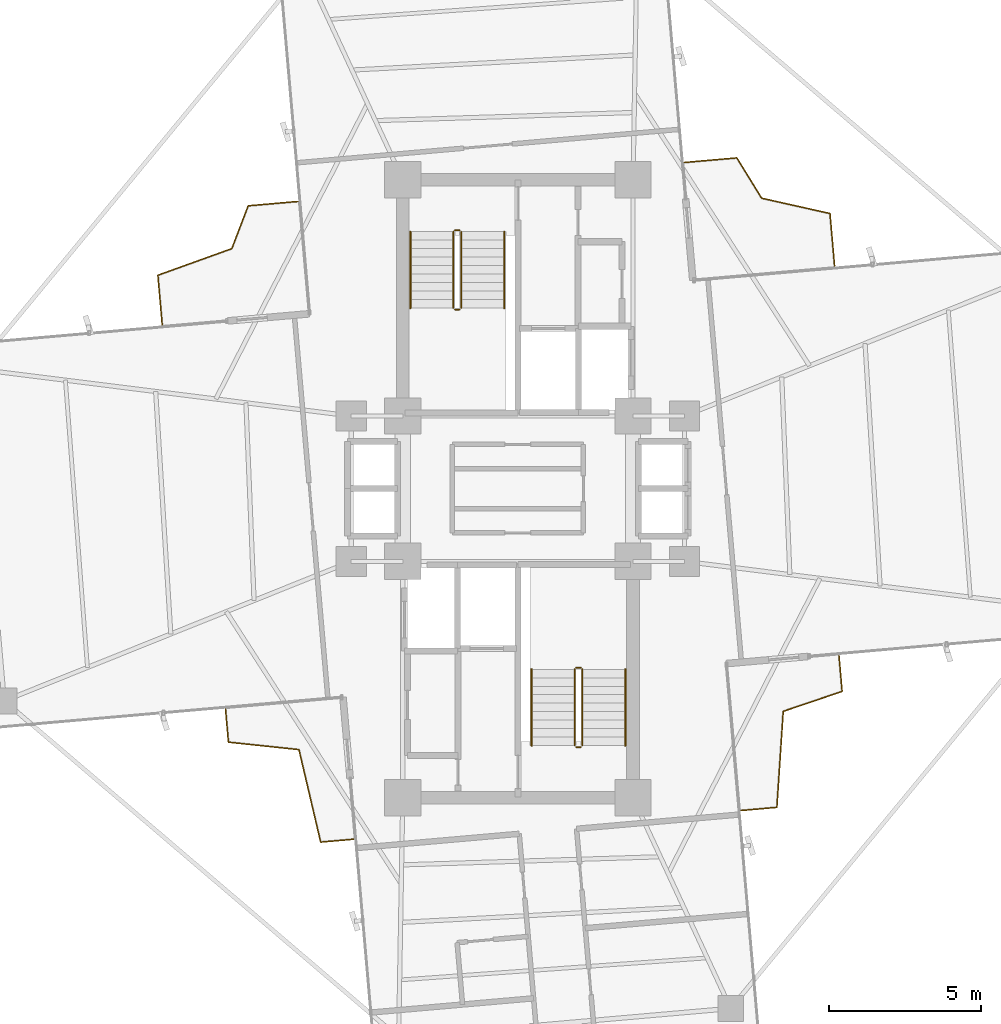
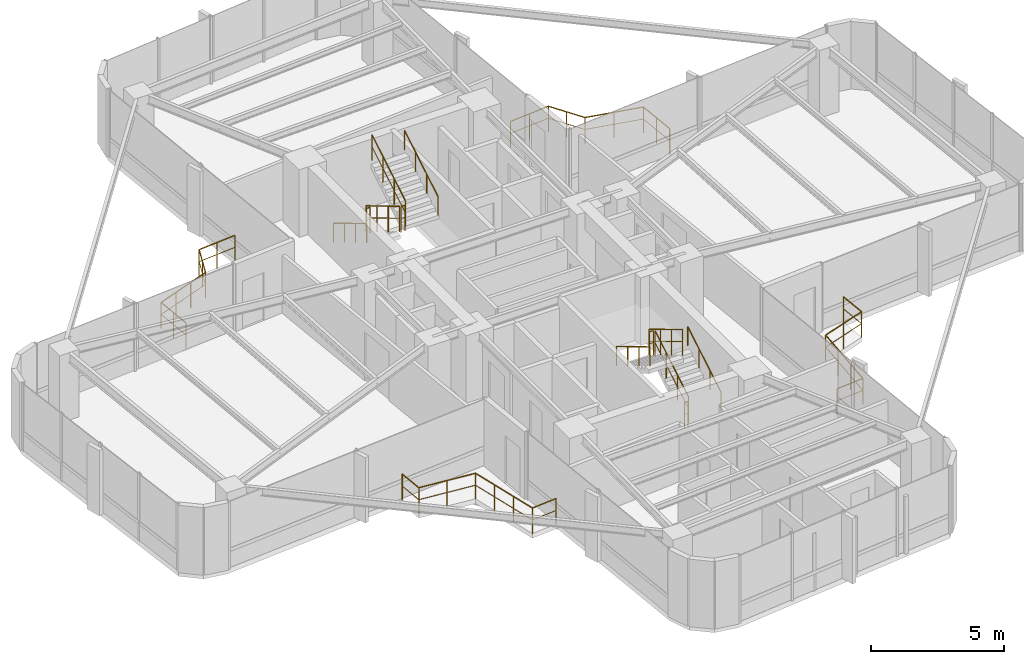
# One storey, part 24 of 24: 16 railings.
"""IFC4 building model written with IfcOpenShell, lengths in metres."""

import ifcopenshell
import ifcopenshell.guid

model = None  # the IFC model being written
_history = None  # IfcOwnerHistory: only IFC2X3 demands one
_inside = {}  # id of a spatial element -> (the spatial element, [elements in it])
_under = {}  # id of a project, library or spatial element -> (it, [spatial elements below it])
_declared = {}  # id of a project -> (the project, [libraries it declares])
_typed = {}  # id of a type object -> (the type object, [elements of that type])
_made_of = {}  # id of a material, layer set ... -> (it, [elements and type objects made of it])


def new_model(schema):
    """Start an empty IFC model of exactly this schema.

    Asked for "IFC4X3", IfcOpenShell would pick the latest addendum, in which some entities
    have other attributes; the version numbers below select the first issue.
    IFC2X3 requires an IfcOwnerHistory on every rooted entity: one is made here for all.
    """
    global model, _history
    if schema == "IFC4X3":
        model = ifcopenshell.file(schema_version=(4, 3, 0, 0))
    else:
        model = ifcopenshell.file(schema=schema)
    _inside.clear()
    _under.clear()
    _declared.clear()
    _typed.clear()
    _made_of.clear()
    _history = None
    if model.schema == "IFC2X3":
        org = make("IfcOrganization", Name="unknown")
        user = make(
            "IfcPersonAndOrganization",
            ThePerson=make("IfcPerson", FamilyName="unknown"),
            TheOrganization=org,
        )
        app = make(
            "IfcApplication",
            ApplicationDeveloper=org,
            Version="unknown",
            ApplicationFullName="unknown",
            ApplicationIdentifier="unknown",
        )
        _history = make(
            "IfcOwnerHistory",
            OwningUser=user,
            OwningApplication=app,
            ChangeAction="ADDED",
            CreationDate=0,
        )
    return model


def make(cls, **values):
    """One entity of the class cls with the attributes given. An attribute that is None is left unset."""
    return model.create_entity(
        cls, **{name: value for name, value in values.items() if value is not None}
    )


def rooted(cls, **values):
    """An entity with a GlobalId (a new one), such as an element, a storey or a relation."""
    return make(cls, GlobalId=ifcopenshell.guid.new(), OwnerHistory=_history, **values)


def si_unit(unit_type, name, prefix=None):
    """IfcSIUnit, for example si_unit("LENGTHUNIT", "METRE", prefix="MILLI")."""
    return make("IfcSIUnit", UnitType=unit_type, Prefix=prefix, Name=name)


def assignment(units):
    """IfcUnitAssignment: the units of a project."""
    return None if units is None else make("IfcUnitAssignment", Units=units)


def point(xyz):
    """IfcCartesianPoint."""
    return None if xyz is None else make("IfcCartesianPoint", Coordinates=xyz)


def direction(xyz):
    """IfcDirection."""
    return None if xyz is None else make("IfcDirection", DirectionRatios=xyz)


def frame(location, z_axis=None, x_axis=None):
    """IfcAxis2Placement3D, a coordinate frame: its origin and axes. An axis left out is left unset."""
    return make(
        "IfcAxis2Placement3D",
        Location=point(location),
        Axis=direction(z_axis),
        RefDirection=direction(x_axis),
    )


def frame_2d(location, x_axis=None):
    """IfcAxis2Placement2D, a coordinate frame in the plane: its origin and x axis."""
    return make(
        "IfcAxis2Placement2D", Location=point(location), RefDirection=direction(x_axis)
    )


def origin():
    """The frame at (0, 0, 0) with its axes left unset."""
    return frame((0.0, 0.0, 0.0))


def origin_2d():
    """The frame at (0, 0) in the plane with its x axis left unset."""
    return frame_2d((0.0, 0.0))


def place(relative_to, where):
    """IfcLocalPlacement: puts the frame where relative to a parent placement (None: the world)."""
    return make(
        "IfcLocalPlacement", PlacementRelTo=relative_to, RelativePlacement=where
    )


def context(
    kind, dimensions, precision=None, world=None, true_north=None, identifier=None
):
    """IfcGeometricRepresentationContext, for example the 3D "Model" context."""
    return make(
        "IfcGeometricRepresentationContext",
        ContextIdentifier=identifier,
        ContextType=kind,
        CoordinateSpaceDimension=dimensions,
        Precision=precision,
        WorldCoordinateSystem=world,
        TrueNorth=true_north,
    )


def subcontext(parent, identifier, kind, view, scale=None):
    """IfcGeometricRepresentationSubContext, for example "Body" below "Model"."""
    return make(
        "IfcGeometricRepresentationSubContext",
        ContextIdentifier=identifier,
        ContextType=kind,
        ParentContext=parent,
        TargetScale=scale,
        TargetView=view,
    )


def project(units=None, contexts=None):
    """IfcProject with its units and contexts."""
    return rooted(
        "IfcProject",
        Name="project",
        RepresentationContexts=contexts,
        UnitsInContext=assignment(units),
    )


def spatial(cls, under=None, at=None, **own):
    """A site, building, storey or space (cls), placed at a placement, below another one or the project."""
    s = rooted(cls, ObjectPlacement=at, **own)
    if under is not None:
        _under.setdefault(under.id(), (under, []))[1].append(s)
    return s


def profile(cls, at=None, kind="AREA", **sizes):
    """A parametric profile (cls). Its sizes go by their IFC names, for example OverallWidth=200.0."""
    return make(cls, ProfileType=kind, Position=at, **sizes)


def circle(**sizes):
    """IfcCircleProfileDef."""
    return profile("IfcCircleProfileDef", **sizes)


def extrude(swept, where, along, depth):
    """IfcExtrudedAreaSolid: the profile swept, set in the frame where, extruded along a direction by depth."""
    return make(
        "IfcExtrudedAreaSolid",
        SweptArea=swept,
        Position=where,
        ExtrudedDirection=direction(along),
        Depth=depth,
    )


def shape(context_of_items, identifier, shape_type, items):
    """IfcShapeRepresentation: the items that make up one representation, for example the "Body"."""
    return make(
        "IfcShapeRepresentation",
        ContextOfItems=context_of_items,
        RepresentationIdentifier=identifier,
        RepresentationType=shape_type,
        Items=items,
    )


def material(Name=None, Category=None):
    """IfcMaterial."""
    return make("IfcMaterial", Name=Name, Category=Category)


def made_of(thing, what):
    """Note that an element or type object is made of a material, layer set ...; save() writes the relation."""
    if what is not None:
        _made_of.setdefault(what.id(), (what, []))[1].append(thing)
    return thing


def type_object(cls, material=None, **own):
    """A type object (cls), such as IfcWallType, which elements share."""
    return made_of(rooted(cls, **own), material)


def element(
    cls,
    number,
    at=None,
    inside=None,
    cuts=None,
    type_object=None,
    material=None,
    context=None,
    identifier="Body",
    shape_type=None,
    held_by="IfcProductDefinitionShape",
    body=None,
    shapes=None,
    **own,
):
    """One element of the class cls, such as IfcWall. Its Tag is "e" and its number.

    at: its placement. inside: the storey or other place that contains it. cuts: it is an
    opening in that element (IfcRelVoidsElement). A single representation is given by context,
    identifier, shape_type and body (its items); several are given by shapes. held_by: the class
    of the entity that holds the representations. save() writes the other relations.
    """
    e = rooted(cls, Tag="e%d" % number, ObjectPlacement=at, **own)
    if body is not None:
        shapes = [shape(context, identifier, shape_type, body)]
    if shapes is not None:
        e.Representation = make(held_by, Representations=shapes)
    if inside is not None:
        _inside.setdefault(inside.id(), (inside, []))[1].append(e)
    if cuts is not None:
        rooted(
            "IfcRelVoidsElement", RelatingBuildingElement=cuts, RelatedOpeningElement=e
        )
    if type_object is not None:
        _typed.setdefault(type_object.id(), (type_object, []))[1].append(e)
    return made_of(e, material)


def aggregate(whole, parts):
    """IfcRelAggregates: a whole, such as a stair, and the parts it consists of."""
    return rooted("IfcRelAggregates", RelatingObject=whole, RelatedObjects=parts)


def save(model, path):
    """Write the relations noted so far, then the file.

    IfcRelAggregates (storeys below a building ...), IfcRelContainedInSpatialStructure (elements
    in a storey), IfcRelDefinesByType, IfcRelAssociatesMaterial and IfcRelDeclares: one each for
    every whole, place, type object, material and project.
    """
    for whole, parts in _under.values():
        aggregate(whole, parts)
    for where, things in _inside.values():
        rooted(
            "IfcRelContainedInSpatialStructure",
            RelatedElements=things,
            RelatingStructure=where,
        )
    for kind, things in _typed.values():
        rooted("IfcRelDefinesByType", RelatedObjects=things, RelatingType=kind)
    for what, things in _made_of.values():
        rooted("IfcRelAssociatesMaterial", RelatedObjects=things, RelatingMaterial=what)
    for by, libraries in _declared.values():
        rooted("IfcRelDeclares", RelatingContext=by, RelatedDefinitions=libraries)
    model.write(path)


model = new_model("IFC4")

# Units and contexts
model_context = context("Model", 3, precision=1e-05, world=origin(), true_north=direction((0.0, 1.0)))
body_context = subcontext(model_context, "Body", "Model", "MODEL_VIEW")
ifc_project = project(units=[si_unit("LENGTHUNIT", "METRE"), si_unit("AREAUNIT", "SQUARE_METRE"), si_unit("VOLUMEUNIT", "CUBIC_METRE"), si_unit("PLANEANGLEUNIT", "RADIAN"), si_unit("MASSUNIT", "GRAM", prefix="KILO")], contexts=[model_context])

# Site, building, storey
site_placement = place(None, origin())
site = spatial("IfcSite", under=ifc_project, at=site_placement, CompositionType="ELEMENT")
building_placement = place(site_placement, origin())
building = spatial("IfcBuilding", under=site, at=building_placement, Name="Sahyath Konkavel Grand Hotel", CompositionType="ELEMENT")
storey_placement = place(building_placement, frame((0.0, 0.0, 160.64990234375)))
storey = spatial("IfcBuildingStorey", under=building, at=storey_placement, Name="L44", CompositionType="ELEMENT", Elevation=160.64990234375)

# Railings
ifc_material_1 = material(Name="Anodised Bronze Aluminium", Category="aluminium")
railing_type_1 = type_object("IfcRailingType", Name="RLG-BALC-1200", PredefinedType="GUARDRAIL", material=ifc_material_1)
railing_1_placement = place(storey_placement, frame((10.452392578125, 7.348876953125, 0.0)))
element("IfcRailing", 1, at=railing_1_placement, inside=storey, type_object=railing_type_1, Name="L44 Winter-Garden Guard NE", PredefinedType="GUARDRAIL", context=body_context, shape_type="SweptSolid", body=[
    extrude(circle(Radius=0.02392578125, at=origin_2d()), frame((-0.000244140625, 0.001953125, 1.17578125), z_axis=(-0.087271381015, 0.996184574291, 0.0), x_axis=(-0.996184574291, -0.087271381015, 0.0)), (0.0, 0.0, 1.0), 1.736083984375),
    extrude(circle(Radius=0.01416015625, at=origin_2d()), frame((-0.000244140625, 0.001953125, 0.6240234375), z_axis=(-0.087271381015, 0.996184574291, 0.0), x_axis=(-0.996184574291, -0.087271381015, 0.0)), (0.0, 0.0, 1.0), 1.736083984375),
    extrude(circle(Radius=0.02392578125, at=origin_2d()), frame((-0.15380859375, 1.73388671875, 1.17578125), z_axis=(-0.975807839338, 0.218629962921, 0.0), x_axis=(-0.218629962921, -0.975807839338, 0.0)), (0.0, 0.0, 1.0), 2.3076171875),
    extrude(circle(Radius=0.01416015625, at=origin_2d()), frame((-0.15380859375, 1.73388671875, 0.6240234375), z_axis=(-0.975807839338, 0.218629962921, 0.0), x_axis=(-0.218629962921, -0.975807839338, 0.0)), (0.0, 0.0, 1.0), 2.3076171875),
    extrude(circle(Radius=0.02392578125, at=origin_2d()), frame((-2.408447265625, 2.240478515625, 1.17578125), z_axis=(-0.524228189008, 0.851577833113, 0.0), x_axis=(-0.851577833113, -0.524228189008, 0.0)), (0.0, 0.0, 1.0), 1.55859375),
    extrude(circle(Radius=0.01416015625, at=origin_2d()), frame((-2.408447265625, 2.240478515625, 0.6240234375), z_axis=(-0.524228189008, 0.851577833113, 0.0), x_axis=(-0.851577833113, -0.524228189008, 0.0)), (0.0, 0.0, 1.0), 1.55859375),
    extrude(circle(Radius=0.02392578125, at=origin_2d()), frame((-3.228515625, 3.569091796875, 1.17578125), z_axis=(-0.996196762836, -0.087132139397, 0.0), x_axis=(0.087132139397, -0.996196762836, 0.0)), (0.0, 0.0, 1.0), 1.736083984375),
    extrude(circle(Radius=0.01416015625, at=origin_2d()), frame((-3.228515625, 3.569091796875, 0.6240234375), z_axis=(-0.996196762836, -0.087132139397, 0.0), x_axis=(0.087132139397, -0.996196762836, 0.0)), (0.0, 0.0, 1.0), 1.736083984375),
    extrude(circle(Radius=0.02099609375, at=origin_2d()), origin(), (0.0, 0.0, 1.0), 1.15185546875),
    extrude(circle(Radius=0.02099609375, at=origin_2d()), frame((-0.075927734375, 0.86669921875, 0.0)), (0.0, 0.0, 1.0), 1.15185546875),
    extrude(circle(Radius=0.02099609375, at=origin_2d()), frame((-0.15185546875, 1.7333984375, 0.0)), (0.0, 0.0, 1.0), 1.15185546875),
    extrude(circle(Radius=0.02099609375, at=origin_2d()), frame((-1.27978515625, 1.986083984375, 0.0)), (0.0, 0.0, 1.0), 1.15185546875),
    extrude(circle(Radius=0.02099609375, at=origin_2d()), frame((-2.407470703125, 2.23876953125, 0.0)), (0.0, 0.0, 1.0), 1.15185546875),
    extrude(circle(Radius=0.02099609375, at=origin_2d()), frame((-2.81689453125, 2.904052734375, 0.0)), (0.0, 0.0, 1.0), 1.15185546875),
    extrude(circle(Radius=0.02099609375, at=origin_2d()), frame((-3.2265625, 3.5693359375, 0.0)), (0.0, 0.0, 1.0), 1.15185546875),
    extrude(circle(Radius=0.02099609375, at=origin_2d()), frame((-4.09326171875, 3.49365234375, 0.0)), (0.0, 0.0, 1.0), 1.15185546875),
    extrude(circle(Radius=0.02099609375, at=origin_2d()), frame((-4.9599609375, 3.417724609375, 0.0)), (0.0, 0.0, 1.0), 1.15185546875),
])
railing_2_placement = place(storey_placement, frame((-7.263916015625, 9.47998046875, 0.0)))
element("IfcRailing", 2, at=railing_2_placement, inside=storey, type_object=railing_type_1, Name="L44 Winter-Garden Guard NW", PredefinedType="GUARDRAIL", context=body_context, shape_type="SweptSolid", body=[
    extrude(circle(Radius=0.02392578125, at=origin_2d()), frame((-0.001953125, -0.000244140625, 1.17578125), z_axis=(-0.996190814545, -0.08720012051, 0.0), x_axis=(0.08720012051, -0.996190814545, 0.0)), (0.0, 0.0, 1.0), 1.639404296875),
    extrude(circle(Radius=0.01416015625, at=origin_2d()), frame((-0.001953125, -0.000244140625, 0.6240234375), z_axis=(-0.996190814545, -0.08720012051, 0.0), x_axis=(0.08720012051, -0.996190814545, 0.0)), (0.0, 0.0, 1.0), 1.639404296875),
    extrude(circle(Radius=0.02392578125, at=origin_2d()), frame((-1.637939453125, -0.145263671875, 1.17578125), z_axis=(-0.357584417306, -0.933880819216, 0.0), x_axis=(0.933880819216, -0.357584417306, 0.0)), (0.0, 0.0, 1.0), 1.509765625),
    extrude(circle(Radius=0.01416015625, at=origin_2d()), frame((-1.637939453125, -0.145263671875, 0.6240234375), z_axis=(-0.357584417306, -0.933880819216, 0.0), x_axis=(0.933880819216, -0.357584417306, 0.0)), (0.0, 0.0, 1.0), 1.509765625),
    extrude(circle(Radius=0.02392578125, at=origin_2d()), frame((-2.180419921875, -1.5576171875, 1.17578125), z_axis=(-0.940871807597, -0.338762810341, 0.0), x_axis=(0.338762810341, -0.940871807597, 0.0)), (0.0, 0.0, 1.0), 2.589111328125),
    extrude(circle(Radius=0.01416015625, at=origin_2d()), frame((-2.180419921875, -1.5576171875, 0.6240234375), z_axis=(-0.940871807597, -0.338762810341, 0.0), x_axis=(0.338762810341, -0.940871807597, 0.0)), (0.0, 0.0, 1.0), 2.589111328125),
    extrude(circle(Radius=0.02392578125, at=origin_2d()), frame((-4.617919921875, -2.437255859375, 1.17578125), z_axis=(0.087052695052, -0.996203708226, 0.0), x_axis=(0.996203708226, 0.087052695052, 0.0)), (0.0, 0.0, 1.0), 1.639404296875),
    extrude(circle(Radius=0.01416015625, at=origin_2d()), frame((-4.617919921875, -2.437255859375, 0.6240234375), z_axis=(0.087052695052, -0.996203708226, 0.0), x_axis=(0.996203708226, 0.087052695052, 0.0)), (0.0, 0.0, 1.0), 1.639404296875),
    extrude(circle(Radius=0.02099609375, at=origin_2d()), origin(), (0.0, 0.0, 1.0), 1.15185546875),
    extrude(circle(Radius=0.02099609375, at=origin_2d()), frame((-0.818603515625, -0.07177734375, 0.0)), (0.0, 0.0, 1.0), 1.15185546875),
    extrude(circle(Radius=0.02099609375, at=origin_2d()), frame((-1.63720703125, -0.143310546875, 0.0)), (0.0, 0.0, 1.0), 1.15185546875),
    extrude(circle(Radius=0.02099609375, at=origin_2d()), frame((-1.90771484375, -0.85009765625, 0.0)), (0.0, 0.0, 1.0), 1.15185546875),
    extrude(circle(Radius=0.02099609375, at=origin_2d()), frame((-2.178466796875, -1.556884765625, 0.0)), (0.0, 0.0, 1.0), 1.15185546875),
    extrude(circle(Radius=0.02099609375, at=origin_2d()), frame((-2.99169921875, -1.849609375, 0.0)), (0.0, 0.0, 1.0), 1.15185546875),
    extrude(circle(Radius=0.02099609375, at=origin_2d()), frame((-3.804931640625, -2.142578125, 0.0)), (0.0, 0.0, 1.0), 1.15185546875),
    extrude(circle(Radius=0.02099609375, at=origin_2d()), frame((-4.6181640625, -2.435302734375, 0.0)), (0.0, 0.0, 1.0), 1.15185546875),
    extrude(circle(Radius=0.02099609375, at=origin_2d()), frame((-4.546630859375, -3.25390625, 0.0)), (0.0, 0.0, 1.0), 1.15185546875),
    extrude(circle(Radius=0.02099609375, at=origin_2d()), frame((-4.47509765625, -4.072509765625, 0.0)), (0.0, 0.0, 1.0), 1.15185546875),
])
railing_3_placement = place(storey_placement, frame((-9.6494140625, -7.27880859375, 0.0)))
element("IfcRailing", 3, at=railing_3_placement, inside=storey, type_object=railing_type_1, Name="L44 Winter-Garden Guard SW", PredefinedType="GUARDRAIL", context=body_context, shape_type="SweptSolid", body=[
    extrude(circle(Radius=0.02392578125, at=origin_2d()), frame((0.000244140625, -0.001953125, 1.17578125), z_axis=(0.087208558831, -0.996190075872, 0.0), x_axis=(0.996190075872, 0.087208558831, 0.0)), (0.0, 0.0, 1.0), 1.087890625),
    extrude(circle(Radius=0.01416015625, at=origin_2d()), frame((0.000244140625, -0.001953125, 0.6240234375), z_axis=(0.087208558831, -0.996190075872, 0.0), x_axis=(0.996190075872, 0.087208558831, 0.0)), (0.0, 0.0, 1.0), 1.087890625),
    extrude(circle(Radius=0.02392578125, at=origin_2d()), frame((0.09716796875, -1.087890625, 1.17578125), z_axis=(0.994456185565, -0.105151771221, 0.0), x_axis=(0.105151771221, 0.994456185565, 0.0)), (0.0, 0.0, 1.0), 2.33642578125),
    extrude(circle(Radius=0.01416015625, at=origin_2d()), frame((0.09716796875, -1.087890625, 0.6240234375), z_axis=(0.994456185565, -0.105151771221, 0.0), x_axis=(0.105151771221, 0.994456185565, 0.0)), (0.0, 0.0, 1.0), 2.33642578125),
    extrude(circle(Radius=0.02392578125, at=origin_2d()), frame((2.423095703125, -1.335693359375, 1.17578125), z_axis=(0.228622651102, -0.973515117193, 0.0), x_axis=(0.973515117193, 0.228622651102, 0.0)), (0.0, 0.0, 1.0), 3.13134765625),
    extrude(circle(Radius=0.01416015625, at=origin_2d()), frame((2.423095703125, -1.335693359375, 0.6240234375), z_axis=(0.228622651102, -0.973515117193, 0.0), x_axis=(0.973515117193, 0.228622651102, 0.0)), (0.0, 0.0, 1.0), 3.13134765625),
    extrude(circle(Radius=0.02392578125, at=origin_2d()), frame((3.141357421875, -4.3857421875, 1.17578125), z_axis=(0.996190075872, 0.087208558831, 0.0), x_axis=(-0.087208558831, 0.996190075872, 0.0)), (0.0, 0.0, 1.0), 1.087890625),
    extrude(circle(Radius=0.01416015625, at=origin_2d()), frame((3.141357421875, -4.3857421875, 0.6240234375), z_axis=(0.996190075872, 0.087208558831, 0.0), x_axis=(-0.087208558831, 0.996190075872, 0.0)), (0.0, 0.0, 1.0), 1.087890625),
    extrude(circle(Radius=0.02099609375, at=origin_2d()), origin(), (0.0, 0.0, 1.0), 1.15185546875),
    extrude(circle(Radius=0.02099609375, at=origin_2d()), frame((0.09521484375, -1.087646484375, 0.0)), (0.0, 0.0, 1.0), 1.15185546875),
    extrude(circle(Radius=0.02099609375, at=origin_2d()), frame((1.2587890625, -1.210693359375, 0.0)), (0.0, 0.0, 1.0), 1.15185546875),
    extrude(circle(Radius=0.02099609375, at=origin_2d()), frame((2.422607421875, -1.333740234375, 0.0)), (0.0, 0.0, 1.0), 1.15185546875),
    extrude(circle(Radius=0.02099609375, at=origin_2d()), frame((2.66162109375, -2.35107421875, 0.0)), (0.0, 0.0, 1.0), 1.15185546875),
    extrude(circle(Radius=0.02099609375, at=origin_2d()), frame((2.900390625, -3.36865234375, 0.0)), (0.0, 0.0, 1.0), 1.15185546875),
    extrude(circle(Radius=0.02099609375, at=origin_2d()), frame((3.139404296875, -4.385986328125, 0.0)), (0.0, 0.0, 1.0), 1.15185546875),
    extrude(circle(Radius=0.02099609375, at=origin_2d()), frame((4.22705078125, -4.290771484375, 0.0)), (0.0, 0.0, 1.0), 1.15185546875),
])
railing_4_placement = place(storey_placement, frame((7.36376953125, -10.62158203125, 0.0)))
element("IfcRailing", 4, at=railing_4_placement, inside=storey, type_object=railing_type_1, Name="L44 Winter-Garden Guard SE", PredefinedType="GUARDRAIL", context=body_context, shape_type="SweptSolid", body=[
    extrude(circle(Radius=0.02392578125, at=origin_2d()), frame((0.001953125, 0.000244140625, 1.17578125), z_axis=(0.996198844708, 0.087108333709, 0.0), x_axis=(-0.087108333709, 0.996198844708, 0.0)), (0.0, 0.0, 1.0), 1.184326171875),
    extrude(circle(Radius=0.01416015625, at=origin_2d()), frame((0.001953125, 0.000244140625, 0.6240234375), z_axis=(0.996198844708, 0.087108333709, 0.0), x_axis=(-0.087108333709, 0.996198844708, 0.0)), (0.0, 0.0, 1.0), 1.184326171875),
    extrude(circle(Radius=0.02392578125, at=origin_2d()), frame((1.18408203125, 0.10546875, 1.17578125), z_axis=(0.06617721379, 0.997807885505, 0.0), x_axis=(-0.997807885505, 0.06617721379, 0.0)), (0.0, 0.0, 1.0), 3.17236328125),
    extrude(circle(Radius=0.01416015625, at=origin_2d()), frame((1.18408203125, 0.10546875, 0.6240234375), z_axis=(0.06617721379, 0.997807885505, 0.0), x_axis=(-0.997807885505, 0.06617721379, 0.0)), (0.0, 0.0, 1.0), 3.17236328125),
    extrude(circle(Radius=0.02392578125, at=origin_2d()), frame((1.39599609375, 3.273681640625, 1.17578125), z_axis=(0.947281563744, 0.320402308029, 0.0), x_axis=(-0.320402308029, 0.947281563744, 0.0)), (0.0, 0.0, 1.0), 2.04736328125),
    extrude(circle(Radius=0.01416015625, at=origin_2d()), frame((1.39599609375, 3.273681640625, 0.6240234375), z_axis=(0.947281563744, 0.320402308029, 0.0), x_axis=(-0.320402308029, 0.947281563744, 0.0)), (0.0, 0.0, 1.0), 2.04736328125),
    extrude(circle(Radius=0.02392578125, at=origin_2d()), frame((3.3369140625, 3.93212890625, 1.17578125), z_axis=(-0.087090509468, 0.996200403112, 0.0), x_axis=(-0.996200403112, -0.087090509468, 0.0)), (0.0, 0.0, 1.0), 1.1845703125),
    extrude(circle(Radius=0.01416015625, at=origin_2d()), frame((3.3369140625, 3.93212890625, 0.6240234375), z_axis=(-0.087090509468, 0.996200403112, 0.0), x_axis=(-0.996200403112, -0.087090509468, 0.0)), (0.0, 0.0, 1.0), 1.1845703125),
    extrude(circle(Radius=0.02099609375, at=origin_2d()), origin(), (0.0, 0.0, 1.0), 1.15185546875),
    extrude(circle(Radius=0.02099609375, at=origin_2d()), frame((1.183837890625, 0.103515625, 0.0)), (0.0, 0.0, 1.0), 1.15185546875),
    extrude(circle(Radius=0.02099609375, at=origin_2d()), frame((1.25390625, 1.159912109375, 0.0)), (0.0, 0.0, 1.0), 1.15185546875),
    extrude(circle(Radius=0.02099609375, at=origin_2d()), frame((1.323974609375, 2.216552734375, 0.0)), (0.0, 0.0, 1.0), 1.15185546875),
    extrude(circle(Radius=0.02099609375, at=origin_2d()), frame((1.39404296875, 3.27294921875, 0.0)), (0.0, 0.0, 1.0), 1.15185546875),
    extrude(circle(Radius=0.02099609375, at=origin_2d()), frame((2.36572265625, 3.6015625, 0.0)), (0.0, 0.0, 1.0), 1.15185546875),
    extrude(circle(Radius=0.02099609375, at=origin_2d()), frame((3.337158203125, 3.93017578125, 0.0)), (0.0, 0.0, 1.0), 1.15185546875),
    extrude(circle(Radius=0.02099609375, at=origin_2d()), frame((3.233642578125, 5.1142578125, 0.0)), (0.0, 0.0, 1.0), 1.15185546875),
])
ifc_material_2 = material(Name="Steel E350", Category="steel")
railing_type_2 = type_object("IfcRailingType", Name="RLG-STAIR-GRD", PredefinedType="GUARDRAIL", material=ifc_material_2)
railing_5_placement = place(storey_placement, frame((-2.1298828125, 8.47998046875, 0.16748046875)))
element("IfcRailing", 5, at=railing_5_placement, inside=storey, type_object=railing_type_2, Name="L44 ST-1 stair guard 1", PredefinedType="GUARDRAIL", context=body_context, shape_type="SweptSolid", body=[
    extrude(circle(Radius=0.02392578125, at=origin_2d()), frame((0.0, -0.001708984375, 1.177001953125), z_axis=(0.0, -0.858159760407, 0.513382728203), x_axis=(1.0, 0.0, 0.0)), (0.0, 0.0, 1.0), 2.9326171875),
    extrude(circle(Radius=0.01416015625, at=origin_2d()), frame((0.0, -0.001708984375, 0.625), z_axis=(0.0, -0.858159760407, 0.513382728203), x_axis=(1.0, 0.0, 0.0)), (0.0, 0.0, 1.0), 2.9326171875),
    extrude(circle(Radius=0.02099609375, at=origin_2d()), origin(), (0.0, 0.0, 1.0), 1.15185546875),
    extrude(circle(Radius=0.02099609375, at=origin_2d()), frame((0.0, -0.840087890625, 0.50244140625)), (0.0, 0.0, 1.0), 1.15185546875),
    extrude(circle(Radius=0.02099609375, at=origin_2d()), frame((0.0, -1.679931640625, 1.005126953125)), (0.0, 0.0, 1.0), 1.15185546875),
    extrude(circle(Radius=0.02099609375, at=origin_2d()), frame((0.0, -2.52001953125, 1.507568359375)), (0.0, 0.0, 1.0), 1.15185546875),
])
railing_6_placement = place(storey_placement, frame((-2.080078125, 5.909912109375, 1.675048828125)))
element("IfcRailing", 6, at=railing_6_placement, inside=storey, type_object=railing_type_2, Name="L44 ST-1 stair guard 2", PredefinedType="GUARDRAIL", context=body_context, shape_type="SweptSolid", body=[
    extrude(circle(Radius=0.02392578125, at=origin_2d()), frame((0.001953125, 0.0, 1.17578125), z_axis=(1.0, 0.0, 0.0), x_axis=(0.0, 1.0, 0.0)), (0.0, 0.0, 1.0), 0.15625),
    extrude(circle(Radius=0.01416015625, at=origin_2d()), frame((0.001953125, 0.0, 0.6240234375), z_axis=(1.0, 0.0, 0.0), x_axis=(0.0, 1.0, 0.0)), (0.0, 0.0, 1.0), 0.15625),
    extrude(circle(Radius=0.02099609375, at=origin_2d()), origin(), (0.0, 0.0, 1.0), 1.15185546875),
    extrude(circle(Radius=0.02099609375, at=origin_2d()), frame((0.16015625, 0.0, 0.0)), (0.0, 0.0, 1.0), 1.15185546875),
])
railing_7_placement = place(storey_placement, frame((-1.8701171875, 5.9599609375, 1.842529296875)))
element("IfcRailing", 7, at=railing_7_placement, inside=storey, type_object=railing_type_2, Name="L44 ST-1 stair guard 3", PredefinedType="GUARDRAIL", context=body_context, shape_type="SweptSolid", body=[
    extrude(circle(Radius=0.02392578125, at=origin_2d()), frame((0.0, 0.001708984375, 1.177001953125), z_axis=(0.0, 0.858159760407, 0.513382728203), x_axis=(-1.0, 0.0, 0.0)), (0.0, 0.0, 1.0), 2.9326171875),
    extrude(circle(Radius=0.01416015625, at=origin_2d()), frame((0.0, 0.001708984375, 0.625), z_axis=(0.0, 0.858159760407, 0.513382728203), x_axis=(-1.0, 0.0, 0.0)), (0.0, 0.0, 1.0), 2.9326171875),
    extrude(circle(Radius=0.02099609375, at=origin_2d()), origin(), (0.0, 0.0, 1.0), 1.15185546875),
    extrude(circle(Radius=0.02099609375, at=origin_2d()), frame((0.0, 0.840087890625, 0.50244140625)), (0.0, 0.0, 1.0), 1.15185546875),
    extrude(circle(Radius=0.02099609375, at=origin_2d()), frame((0.0, 1.679931640625, 1.005126953125)), (0.0, 0.0, 1.0), 1.15185546875),
    extrude(circle(Radius=0.02099609375, at=origin_2d()), frame((0.0, 2.52001953125, 1.507568359375)), (0.0, 0.0, 1.0), 1.15185546875),
])
railing_8_placement = place(storey_placement, frame((-2.080078125, 8.530029296875, 0.0)))
element("IfcRailing", 8, at=railing_8_placement, inside=storey, type_object=railing_type_2, Name="L44 ST-1 stair guard 4", PredefinedType="GUARDRAIL", context=body_context, shape_type="SweptSolid", body=[
    extrude(circle(Radius=0.02392578125, at=origin_2d()), frame((0.001953125, 0.0, 1.17578125), z_axis=(1.0, 0.0, 0.0), x_axis=(0.0, 1.0, 0.0)), (0.0, 0.0, 1.0), 0.15625),
    extrude(circle(Radius=0.01416015625, at=origin_2d()), frame((0.001953125, 0.0, 0.6240234375), z_axis=(1.0, 0.0, 0.0), x_axis=(0.0, 1.0, 0.0)), (0.0, 0.0, 1.0), 0.15625),
    extrude(circle(Radius=0.02099609375, at=origin_2d()), origin(), (0.0, 0.0, 1.0), 1.15185546875),
    extrude(circle(Radius=0.02099609375, at=origin_2d()), frame((0.16015625, 0.0, 0.0)), (0.0, 0.0, 1.0), 1.15185546875),
])
railing_9_placement = place(storey_placement, frame((2.1298828125, -8.47998046875, 0.16748046875)))
element("IfcRailing", 9, at=railing_9_placement, inside=storey, type_object=railing_type_2, Name="L44 ST-2 stair guard 1", PredefinedType="GUARDRAIL", context=body_context, shape_type="SweptSolid", body=[
    extrude(circle(Radius=0.02392578125, at=origin_2d()), frame((0.0, 0.001708984375, 1.177001953125), z_axis=(0.0, 0.858159760407, 0.513382728203), x_axis=(-1.0, 0.0, 0.0)), (0.0, 0.0, 1.0), 2.9326171875),
    extrude(circle(Radius=0.01416015625, at=origin_2d()), frame((0.0, 0.001708984375, 0.625), z_axis=(0.0, 0.858159760407, 0.513382728203), x_axis=(-1.0, 0.0, 0.0)), (0.0, 0.0, 1.0), 2.9326171875),
    extrude(circle(Radius=0.02099609375, at=origin_2d()), origin(), (0.0, 0.0, 1.0), 1.15185546875),
    extrude(circle(Radius=0.02099609375, at=origin_2d()), frame((0.0, 0.840087890625, 0.50244140625)), (0.0, 0.0, 1.0), 1.15185546875),
    extrude(circle(Radius=0.02099609375, at=origin_2d()), frame((0.0, 1.679931640625, 1.005126953125)), (0.0, 0.0, 1.0), 1.15185546875),
    extrude(circle(Radius=0.02099609375, at=origin_2d()), frame((0.0, 2.52001953125, 1.507568359375)), (0.0, 0.0, 1.0), 1.15185546875),
])
railing_10_placement = place(storey_placement, frame((2.080078125, -5.909912109375, 1.675048828125)))
element("IfcRailing", 10, at=railing_10_placement, inside=storey, type_object=railing_type_2, Name="L44 ST-2 stair guard 2", PredefinedType="GUARDRAIL", context=body_context, shape_type="SweptSolid", body=[
    extrude(circle(Radius=0.02392578125, at=origin_2d()), frame((-0.001953125, 0.0, 1.17578125), z_axis=(-1.0, 0.0, 0.0), x_axis=(0.0, -1.0, 0.0)), (0.0, 0.0, 1.0), 0.15625),
    extrude(circle(Radius=0.01416015625, at=origin_2d()), frame((-0.001953125, 0.0, 0.6240234375), z_axis=(-1.0, 0.0, 0.0), x_axis=(0.0, -1.0, 0.0)), (0.0, 0.0, 1.0), 0.15625),
    extrude(circle(Radius=0.02099609375, at=origin_2d()), origin(), (0.0, 0.0, 1.0), 1.15185546875),
    extrude(circle(Radius=0.02099609375, at=origin_2d()), frame((-0.16015625, 0.0, 0.0)), (0.0, 0.0, 1.0), 1.15185546875),
])
railing_11_placement = place(storey_placement, frame((1.8701171875, -5.9599609375, 1.842529296875)))
element("IfcRailing", 11, at=railing_11_placement, inside=storey, type_object=railing_type_2, Name="L44 ST-2 stair guard 3", PredefinedType="GUARDRAIL", context=body_context, shape_type="SweptSolid", body=[
    extrude(circle(Radius=0.02392578125, at=origin_2d()), frame((0.0, -0.001708984375, 1.177001953125), z_axis=(0.0, -0.858159760407, 0.513382728203), x_axis=(1.0, 0.0, 0.0)), (0.0, 0.0, 1.0), 2.9326171875),
    extrude(circle(Radius=0.01416015625, at=origin_2d()), frame((0.0, -0.001708984375, 0.625), z_axis=(0.0, -0.858159760407, 0.513382728203), x_axis=(1.0, 0.0, 0.0)), (0.0, 0.0, 1.0), 2.9326171875),
    extrude(circle(Radius=0.02099609375, at=origin_2d()), origin(), (0.0, 0.0, 1.0), 1.15185546875),
    extrude(circle(Radius=0.02099609375, at=origin_2d()), frame((0.0, -0.840087890625, 0.50244140625)), (0.0, 0.0, 1.0), 1.15185546875),
    extrude(circle(Radius=0.02099609375, at=origin_2d()), frame((0.0, -1.679931640625, 1.005126953125)), (0.0, 0.0, 1.0), 1.15185546875),
    extrude(circle(Radius=0.02099609375, at=origin_2d()), frame((0.0, -2.52001953125, 1.507568359375)), (0.0, 0.0, 1.0), 1.15185546875),
])
railing_12_placement = place(storey_placement, frame((2.080078125, -8.530029296875, 0.0)))
element("IfcRailing", 12, at=railing_12_placement, inside=storey, type_object=railing_type_2, Name="L44 ST-2 stair guard 4", PredefinedType="GUARDRAIL", context=body_context, shape_type="SweptSolid", body=[
    extrude(circle(Radius=0.02392578125, at=origin_2d()), frame((-0.001953125, 0.0, 1.17578125), z_axis=(-1.0, 0.0, 0.0), x_axis=(0.0, -1.0, 0.0)), (0.0, 0.0, 1.0), 0.15625),
    extrude(circle(Radius=0.01416015625, at=origin_2d()), frame((-0.001953125, 0.0, 0.6240234375), z_axis=(-1.0, 0.0, 0.0), x_axis=(0.0, -1.0, 0.0)), (0.0, 0.0, 1.0), 0.15625),
    extrude(circle(Radius=0.02099609375, at=origin_2d()), origin(), (0.0, 0.0, 1.0), 1.15185546875),
    extrude(circle(Radius=0.02099609375, at=origin_2d()), frame((-0.16015625, 0.0, 0.0)), (0.0, 0.0, 1.0), 1.15185546875),
])
railing_type_3 = type_object("IfcRailingType", Name="RLG-STAIR-HND", PredefinedType="HANDRAIL", material=ifc_material_1)
railing_13_placement = place(storey_placement, frame((-3.550048828125, 8.47998046875, 0.16748046875)))
element("IfcRailing", 13, at=railing_13_placement, inside=storey, type_object=railing_type_3, Name="L44 ST-1 stair handrail 1", PredefinedType="HANDRAIL", context=body_context, shape_type="SweptSolid", body=[
    extrude(circle(Radius=0.02392578125, at=origin_2d()), frame((0.0, -0.001708984375, 0.876953125), z_axis=(0.0, -0.858159760407, 0.513382728203), x_axis=(1.0, 0.0, 0.0)), (0.0, 0.0, 1.0), 2.9326171875),
    extrude(circle(Radius=0.02099609375, at=origin_2d()), origin(), (0.0, 0.0, 1.0), 0.851806640625),
    extrude(circle(Radius=0.02099609375, at=origin_2d()), frame((0.0, -0.840087890625, 0.50244140625)), (0.0, 0.0, 1.0), 0.851806640625),
    extrude(circle(Radius=0.02099609375, at=origin_2d()), frame((0.0, -1.679931640625, 1.005126953125)), (0.0, 0.0, 1.0), 0.851806640625),
    extrude(circle(Radius=0.02099609375, at=origin_2d()), frame((0.0, -2.52001953125, 1.507568359375)), (0.0, 0.0, 1.0), 0.851806640625),
])
for number, where, name in (
    (14, (-0.449951171875, 5.9599609375, 1.842529296875), "L44 ST-1 stair handrail 2"),
    (15, (3.550048828125, -8.47998046875, 0.16748046875), "L44 ST-2 stair handrail 1"),
):
    element("IfcRailing", number, at=place(storey_placement, frame(where)), inside=storey, type_object=railing_type_3, Name=name, PredefinedType="HANDRAIL", context=body_context, shape_type="SweptSolid", body=[
        extrude(circle(Radius=0.02392578125, at=origin_2d()), frame((0.0, 0.001708984375, 0.876953125), z_axis=(0.0, 0.858159760407, 0.513382728203), x_axis=(-1.0, 0.0, 0.0)), (0.0, 0.0, 1.0), 2.9326171875),
        extrude(circle(Radius=0.02099609375, at=origin_2d()), origin(), (0.0, 0.0, 1.0), 0.851806640625),
        extrude(circle(Radius=0.02099609375, at=origin_2d()), frame((0.0, 0.840087890625, 0.50244140625)), (0.0, 0.0, 1.0), 0.851806640625),
        extrude(circle(Radius=0.02099609375, at=origin_2d()), frame((0.0, 1.679931640625, 1.005126953125)), (0.0, 0.0, 1.0), 0.851806640625),
        extrude(circle(Radius=0.02099609375, at=origin_2d()), frame((0.0, 2.52001953125, 1.507568359375)), (0.0, 0.0, 1.0), 0.851806640625),
    ])
railing_14_placement = place(storey_placement, frame((0.449951171875, -5.9599609375, 1.842529296875)))
element("IfcRailing", 16, at=railing_14_placement, inside=storey, type_object=railing_type_3, Name="L44 ST-2 stair handrail 2", PredefinedType="HANDRAIL", context=body_context, shape_type="SweptSolid", body=[
    extrude(circle(Radius=0.02392578125, at=origin_2d()), frame((0.0, -0.001708984375, 0.876953125), z_axis=(0.0, -0.858159760407, 0.513382728203), x_axis=(1.0, 0.0, 0.0)), (0.0, 0.0, 1.0), 2.9326171875),
    extrude(circle(Radius=0.02099609375, at=origin_2d()), origin(), (0.0, 0.0, 1.0), 0.851806640625),
    extrude(circle(Radius=0.02099609375, at=origin_2d()), frame((0.0, -0.840087890625, 0.50244140625)), (0.0, 0.0, 1.0), 0.851806640625),
    extrude(circle(Radius=0.02099609375, at=origin_2d()), frame((0.0, -1.679931640625, 1.005126953125)), (0.0, 0.0, 1.0), 0.851806640625),
    extrude(circle(Radius=0.02099609375, at=origin_2d()), frame((0.0, -2.52001953125, 1.507568359375)), (0.0, 0.0, 1.0), 0.851806640625),
])

save(model, "model.ifc")
